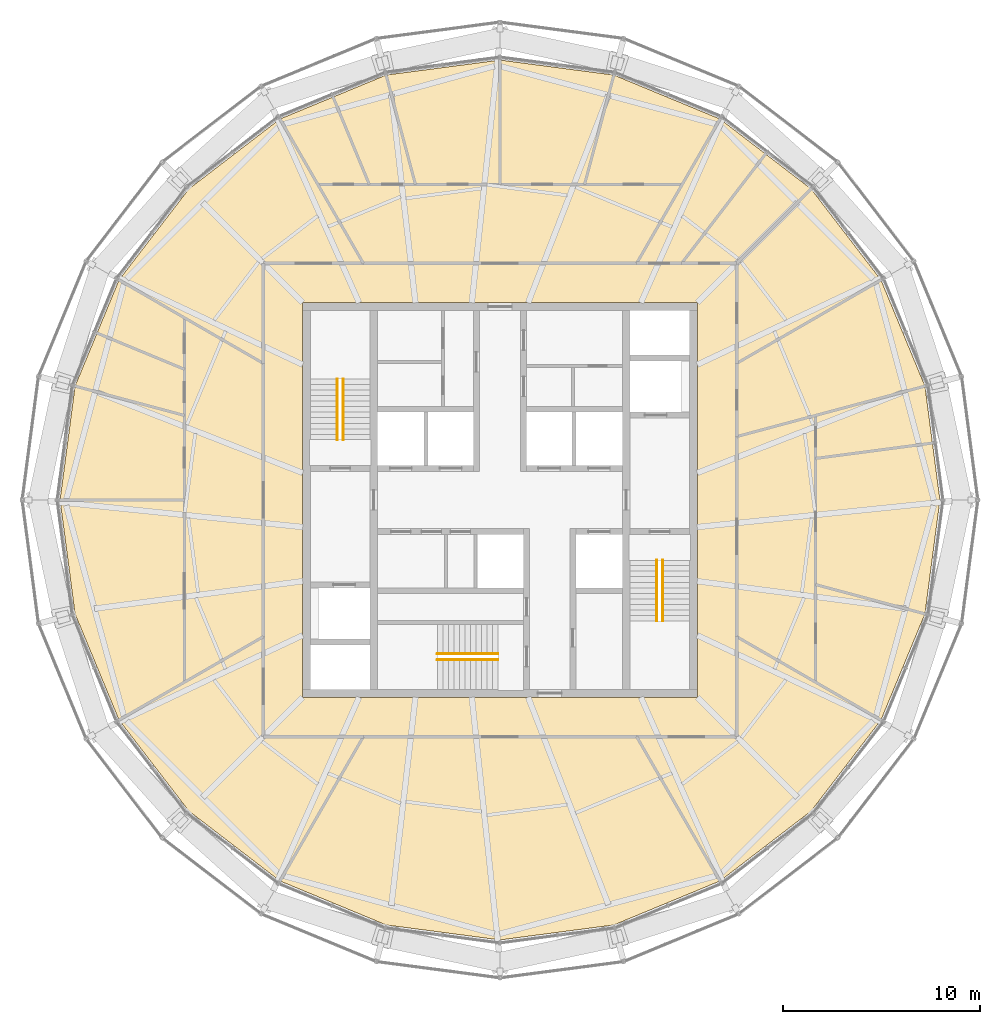
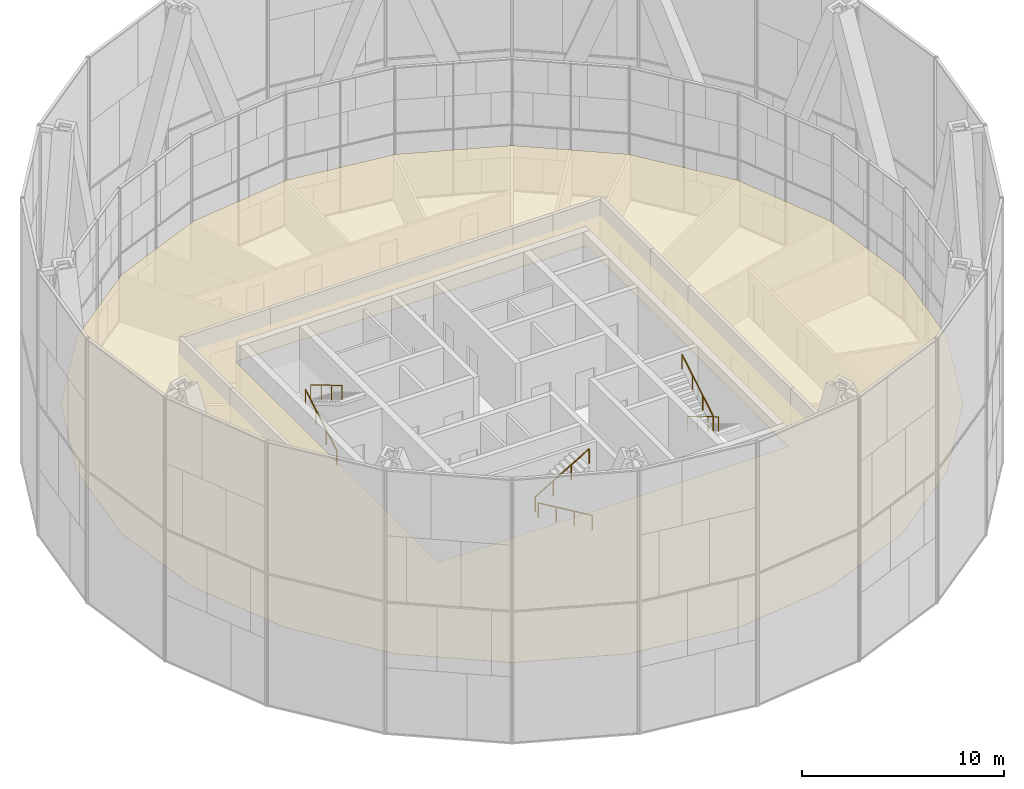
# One storey, part 22 of 22: 6 railings, 1 covering.
"""IFC4 building model written with IfcOpenShell, lengths in metres."""

from ifc_helpers import new_model, si_unit, direction, frame, origin, origin_2d, place, context, subcontext, project, spatial, polyline, circle, outline, extrude, material, layer, layer_set, type_object, element, save


model = new_model("IFC4")

# Units and contexts
model_context = context("Model", 3, precision=1e-05, world=origin(), true_north=direction((0.0, 1.0)))
body_context = subcontext(model_context, "Body", "Model", "MODEL_VIEW")
ifc_project = project(units=[si_unit("LENGTHUNIT", "METRE"), si_unit("AREAUNIT", "SQUARE_METRE"), si_unit("VOLUMEUNIT", "CUBIC_METRE"), si_unit("PLANEANGLEUNIT", "RADIAN"), si_unit("MASSUNIT", "GRAM", prefix="KILO")], contexts=[model_context])

# Site, building, storey
site_placement = place(None, origin())
site = spatial("IfcSite", under=ifc_project, at=site_placement, CompositionType="ELEMENT")
building_placement = place(site_placement, origin())
building = spatial("IfcBuilding", under=site, at=building_placement, Name="Golbaran Civic Tower", CompositionType="ELEMENT")
storey_placement = place(building_placement, frame((0.0, 0.0, 248.0)))
storey = spatial("IfcBuildingStorey", under=building, at=storey_placement, Name="L60", CompositionType="ELEMENT", Elevation=248.0)

# Railings
ifc_material_1 = material(Name="Stainless steel", Category="steel")
railing_type = type_object("IfcRailingType", Name="STAIR HANDRAIL 900", PredefinedType="HANDRAIL", material=ifc_material_1)
railing_1_placement = place(storey_placement, frame((-8.25, 3.050048828125, 0.166748046875)))
element("IfcRailing", 1, at=railing_1_placement, inside=storey, type_object=railing_type, Name="Stair S1 handrail flight 1 L60", PredefinedType="HANDRAIL", context=body_context, shape_type="SweptSolid", body=[
    extrude(circle(Radius=0.02392578125, at=origin_2d()), frame((0.0, 0.0, 0.8759765625), z_axis=(0.0, 0.859290745958, 0.51148745235), x_axis=(-1.0, 0.0, 0.0)), (0.0, 0.0, 1.0), 3.584228515625),
    extrude(circle(Radius=0.02099609375, at=origin_2d()), origin(), (0.0, 0.0, 1.0), 0.851806640625),
    extrude(circle(Radius=0.02099609375, at=origin_2d()), frame((0.0, 1.026611328125, 0.611083984375)), (0.0, 0.0, 1.0), 0.851806640625),
    extrude(circle(Radius=0.02099609375, at=origin_2d()), frame((0.0, 2.05322265625, 1.22216796875)), (0.0, 0.0, 1.0), 0.851806640625),
    extrude(circle(Radius=0.02099609375, at=origin_2d()), frame((0.0, 3.079833984375, 1.833251953125)), (0.0, 0.0, 1.0), 0.851806640625),
])
for number, where, name in (
    (2, (-7.949951171875, 6.1298828125, 2.166748046875), "Stair S1 handrail flight 2 L60"),
    (3, (8.25, -3.050048828125, 0.166748046875), "Stair S2 handrail flight 1 L60"),
):
    element("IfcRailing", number, at=place(storey_placement, frame(where)), inside=storey, type_object=railing_type, Name=name, PredefinedType="HANDRAIL", context=body_context, shape_type="SweptSolid", body=[
        extrude(circle(Radius=0.02392578125, at=origin_2d()), frame((0.0, 0.0, 0.8759765625), z_axis=(0.0, -0.859290745958, 0.51148745235), x_axis=(1.0, 0.0, 0.0)), (0.0, 0.0, 1.0), 3.584228515625),
        extrude(circle(Radius=0.02099609375, at=origin_2d()), origin(), (0.0, 0.0, 1.0), 0.851806640625),
        extrude(circle(Radius=0.02099609375, at=origin_2d()), frame((0.0, -1.026611328125, 0.611083984375)), (0.0, 0.0, 1.0), 0.851806640625),
        extrude(circle(Radius=0.02099609375, at=origin_2d()), frame((0.0, -2.05322265625, 1.22216796875)), (0.0, 0.0, 1.0), 0.851806640625),
        extrude(circle(Radius=0.02099609375, at=origin_2d()), frame((0.0, -3.079833984375, 1.833251953125)), (0.0, 0.0, 1.0), 0.851806640625),
    ])
railing_2_placement = place(storey_placement, frame((7.949951171875, -6.1298828125, 2.166748046875)))
element("IfcRailing", 4, at=railing_2_placement, inside=storey, type_object=railing_type, Name="Stair S2 handrail flight 2 L60", PredefinedType="HANDRAIL", context=body_context, shape_type="SweptSolid", body=[
    extrude(circle(Radius=0.02392578125, at=origin_2d()), frame((0.0, 0.0, 0.8759765625), z_axis=(0.0, 0.859290745958, 0.51148745235), x_axis=(-1.0, 0.0, 0.0)), (0.0, 0.0, 1.0), 3.584228515625),
    extrude(circle(Radius=0.02099609375, at=origin_2d()), origin(), (0.0, 0.0, 1.0), 0.851806640625),
    extrude(circle(Radius=0.02099609375, at=origin_2d()), frame((0.0, 1.026611328125, 0.611083984375)), (0.0, 0.0, 1.0), 0.851806640625),
    extrude(circle(Radius=0.02099609375, at=origin_2d()), frame((0.0, 2.05322265625, 1.22216796875)), (0.0, 0.0, 1.0), 0.851806640625),
    extrude(circle(Radius=0.02099609375, at=origin_2d()), frame((0.0, 3.079833984375, 1.833251953125)), (0.0, 0.0, 1.0), 0.851806640625),
])
railing_3_placement = place(storey_placement, frame((-0.10009765625, -8.10009765625, 0.166748046875)))
element("IfcRailing", 5, at=railing_3_placement, inside=storey, type_object=railing_type, Name="Stair S3 handrail flight 1 L60", PredefinedType="HANDRAIL", context=body_context, shape_type="SweptSolid", body=[
    extrude(circle(Radius=0.02392578125, at=origin_2d()), frame((0.0, 0.0, 0.8759765625), z_axis=(-0.859290745958, 0.0, 0.51148745235), x_axis=(0.0, -1.0, 0.0)), (0.0, 0.0, 1.0), 3.584228515625),
    extrude(circle(Radius=0.02099609375, at=origin_2d()), origin(), (0.0, 0.0, 1.0), 0.851806640625),
    extrude(circle(Radius=0.02099609375, at=origin_2d()), frame((-1.026611328125, 0.0, 0.611083984375)), (0.0, 0.0, 1.0), 0.851806640625),
    extrude(circle(Radius=0.02099609375, at=origin_2d()), frame((-2.05322265625, 0.0, 1.22216796875)), (0.0, 0.0, 1.0), 0.851806640625),
    extrude(circle(Radius=0.02099609375, at=origin_2d()), frame((-3.079833984375, 0.0, 1.833251953125)), (0.0, 0.0, 1.0), 0.851806640625),
])
railing_4_placement = place(storey_placement, frame((-3.179931640625, -7.800048828125, 2.166748046875)))
element("IfcRailing", 6, at=railing_4_placement, inside=storey, type_object=railing_type, Name="Stair S3 handrail flight 2 L60", PredefinedType="HANDRAIL", context=body_context, shape_type="SweptSolid", body=[
    extrude(circle(Radius=0.02392578125, at=origin_2d()), frame((0.0, 0.0, 0.8759765625), z_axis=(0.859290745958, 0.0, 0.51148745235), x_axis=(0.0, 1.0, 0.0)), (0.0, 0.0, 1.0), 3.584228515625),
    extrude(circle(Radius=0.02099609375, at=origin_2d()), origin(), (0.0, 0.0, 1.0), 0.851806640625),
    extrude(circle(Radius=0.02099609375, at=origin_2d()), frame((1.026611328125, 0.0, 0.611083984375)), (0.0, 0.0, 1.0), 0.851806640625),
    extrude(circle(Radius=0.02099609375, at=origin_2d()), frame((2.05322265625, 0.0, 1.22216796875)), (0.0, 0.0, 1.0), 0.851806640625),
    extrude(circle(Radius=0.02099609375, at=origin_2d()), frame((3.079833984375, 0.0, 1.833251953125)), (0.0, 0.0, 1.0), 0.851806640625),
])

# Covering
ifc_material_2 = material(Name="Mineral fibre tile on steel grid", Category="steel")
ifc_layer = layer(ifc_material_2, 0.02001953125, Name="Mineral fibre tile on steel grid")
ifc_layer_set = layer_set([ifc_layer], Name="Mineral fibre tile on steel grid")
covering_type = type_object("IfcCoveringType", Name="SUSPENDED CEILING 600 TILE 20", PredefinedType="CEILING", material=ifc_layer_set)
covering_placement = place(storey_placement, frame((0.0, 0.0, 2.800048828125)))
element("IfcCovering", 7, at=covering_placement, inside=storey, type_object=covering_type, Name="Suspended ceiling L60", PredefinedType="CEILING", context=body_context, shape_type="SweptSolid", body=[
    extrude(outline(polyline([(-19.314208984375, 11.15087890625), (-15.769775390625, 15.769775390625), (-11.15087890625, 19.314208984375), (-5.772216796875, 21.5419921875), (0.0, 22.302001953125), (5.772216796875, 21.5419921875), (11.15087890625, 19.314208984375), (13.579345703125, 17.45068359375), (15.769775390625, 15.769775390625), (19.314208984375, 11.15087890625), (21.5419921875, 5.772216796875), (22.302001953125, 0.0), (21.5419921875, -5.772216796875), (19.314208984375, -11.15087890625), (15.769775390625, -15.769775390625), (11.15087890625, -19.314208984375), (5.772216796875, -21.5419921875), (0.0, -22.302001953125), (-5.772216796875, -21.5419921875), (-11.15087890625, -19.314208984375), (-15.769775390625, -15.769775390625), (-19.314208984375, -11.15087890625), (-21.5419921875, -5.772216796875), (-22.302001953125, 0.0), (-21.5419921875, 5.772216796875), (-19.314208984375, 11.15087890625)]), holes=[polyline([(10.0, 10.0), (-10.0, 10.0), (-10.0, -10.0), (10.0, -10.0), (10.0, 10.0)])]), origin(), (0.0, 0.0, 1.0), 0.02001953125),
])

save(model, "model.ifc")
